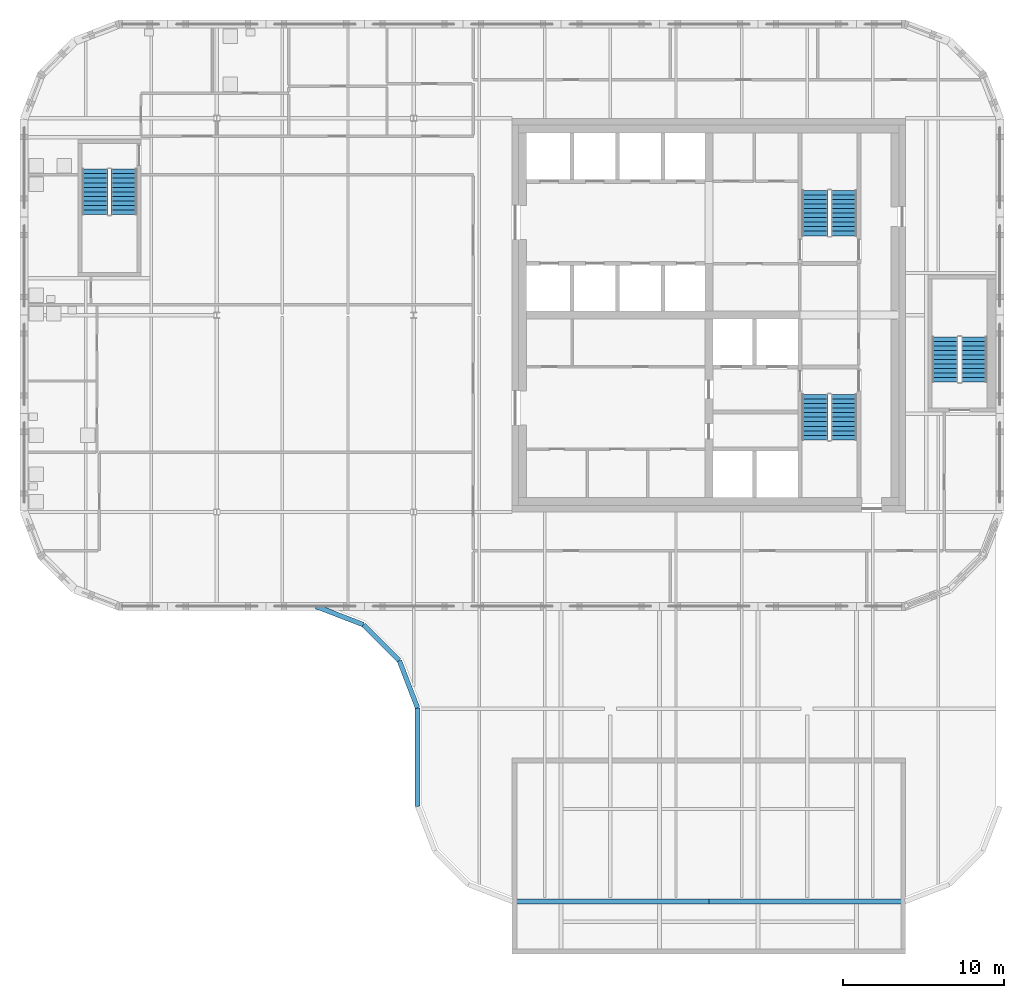
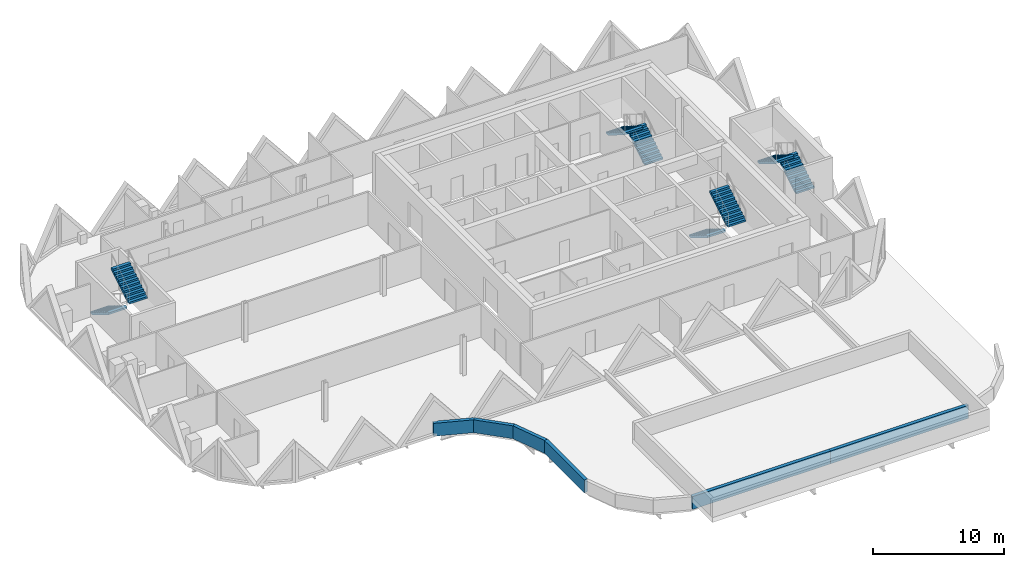
# One storey, part 10 of 12: 8 stair flights, 6 walls, 4 elements without a shape of their own.
"""IFC4 building model written with IfcOpenShell, lengths in metres."""

from ifc_helpers import new_model, si_unit, direction, frame, origin, place, context, subcontext, project, spatial, polyline, outline, extrude, faceted_brep, source, transform, mapped, material, layer, layer_set, type_object, element, aggregate, save


model = new_model("IFC4")

# Units and contexts
model_context = context("Model", 3, precision=1e-05, world=origin(), true_north=direction((0.0, 1.0)))
body_context = subcontext(model_context, "Body", "Model", "MODEL_VIEW")
ifc_project = project(units=[si_unit("LENGTHUNIT", "METRE"), si_unit("AREAUNIT", "SQUARE_METRE"), si_unit("VOLUMEUNIT", "CUBIC_METRE"), si_unit("PLANEANGLEUNIT", "RADIAN"), si_unit("MASSUNIT", "GRAM", prefix="KILO")], contexts=[model_context])

# Site, building, storey
site_placement = place(None, origin())
site = spatial("IfcSite", under=ifc_project, at=site_placement, CompositionType="ELEMENT")
building_placement = place(site_placement, origin())
building = spatial("IfcBuilding", under=site, at=building_placement, Name="Tessera Gate Towers", CompositionType="ELEMENT")
storey_placement = place(building_placement, frame((0.0, 0.0, 236.89990234375)))
storey = spatial("IfcBuildingStorey", under=building, at=storey_placement, Name="L59", CompositionType="ELEMENT", Elevation=236.89990234375)

# Walls
ifc_material_1 = material(Name="Precast concrete C60/75 white", Category="concrete")
ifc_layer = layer(ifc_material_1, 0.300048828125)
ifc_layer_set = layer_set([ifc_layer], Name="PR1 parapet wall")
wall_type = type_object("IfcWallType", Name="PR1 parapet wall", PredefinedType="PARAPET", material=ifc_layer_set)
shared_shape_1 = source(origin(), body_context, "Body", "Brep", [
    faceted_brep([(0.0, -0.14990234375, 0.0), (12.153564453125, -0.14990234375, 0.0), (12.153564453125, -0.14990234375, 1.2001953125), (0.0, -0.14990234375, 1.2001953125), (0.02783203125, 0.14990234375, 1.2001953125), (12.153564453125, 0.14990234375, 1.2001953125), (12.153564453125, 0.14990234375, 0.0), (0.02783203125, 0.14990234375, 0.0), (0.0, 0.0, 0.0), (0.0, 0.0, 1.2001953125)], [[[0, 1, 2, 3]], [[4, 5, 6, 7]], [[7, 6, 1, 0, 8]], [[5, 4, 9, 3, 2]], [[8, 0, 3, 9]], [[7, 8, 9, 4]], [[1, 6, 5, 2]]]),
])
wall_1_placement = place(storey_placement, frame((30.546630859375, 0.25, 0.0), z_axis=(0.0, 0.0, 1.0), x_axis=(1.0, 0.0, 0.0)))
element("IfcWall", 1, at=wall_1_placement, inside=storey, type_object=wall_type, Name="Parapet T1 PR1-0001", PredefinedType="PARAPET", context=body_context, shape_type="MappedRepresentation", body=[
    mapped(shared_shape_1, transform((0.0, 0.0, 0.0), scale=1.0)),
])
shared_shape_2 = source(origin(), body_context, "Body", "Brep", [
    faceted_brep([(0.0, -0.14990234375, 0.0), (12.153564453125, -0.14990234375, 0.0), (12.153564453125, -0.14990234375, 1.2001953125), (0.0, -0.14990234375, 1.2001953125), (0.0, 0.14990234375, 1.2001953125), (12.12548828125, 0.14990234375, 1.2001953125), (12.12548828125, 0.14990234375, 0.0), (0.0, 0.14990234375, 0.0), (12.153564453125, -0.00048828125, 0.0), (12.153564453125, -0.00048828125, 1.2001953125)], [[[0, 1, 2, 3]], [[4, 5, 6, 7]], [[7, 6, 8, 1, 0]], [[9, 2, 1, 8]], [[5, 4, 3, 2, 9]], [[4, 7, 0, 3]], [[8, 6, 5, 9]]]),
])
wall_2_placement = place(storey_placement, frame((42.699951171875, 0.25, 0.0), z_axis=(0.0, 0.0, 1.0), x_axis=(1.0, 0.0, 0.0)))
element("IfcWall", 2, at=wall_2_placement, inside=storey, type_object=wall_type, Name="Parapet T1 PR1-0002", PredefinedType="PARAPET", context=body_context, shape_type="MappedRepresentation", body=[
    mapped(shared_shape_2, transform((0.0, 0.0, 0.0), scale=1.0)),
])
shared_shape_3 = source(origin(), body_context, "Body", "Brep", [
    faceted_brep([(0.02783203125, -0.14990234375, 0.0), (3.11767578125, -0.14990234375, 0.0), (3.11767578125, -0.14990234375, 1.2001953125), (0.02783203125, -0.14990234375, 1.2001953125), (0.0, 0.14990234375, 1.2001953125), (3.1494140625, 0.14990234375, 1.2001953125), (3.1494140625, 0.14990234375, 0.0), (0.0, 0.14990234375, 0.0), (3.1494140625, -0.000244140625, 0.0), (0.0, 0.0, 0.0), (3.1494140625, -0.000244140625, 1.2001953125), (0.0, 0.0, 1.2001953125)], [[[0, 1, 2, 3]], [[4, 5, 6, 7]], [[7, 6, 8, 1, 0, 9]], [[6, 5, 10, 8]], [[5, 4, 11, 3, 2, 10]], [[4, 7, 9, 11]], [[9, 0, 3, 11]], [[1, 8, 10, 2]]]),
])
wall_3_placement = place(storey_placement, frame((18.346435546875, 18.550048828125, 0.0), z_axis=(0.0, 0.0, 1.0), x_axis=(0.932987528699, -0.35990869855, 0.0)))
element("IfcWall", 3, at=wall_3_placement, inside=storey, type_object=wall_type, Name="Parapet T1 PR1-0006", PredefinedType="PARAPET", context=body_context, shape_type="MappedRepresentation", body=[
    mapped(shared_shape_3, transform((0.0, 0.0, 0.0), scale=1.0)),
])
shared_shape_4 = source(origin(), body_context, "Body", "Brep", [
    faceted_brep([(0.03173828125, -0.14990234375, 0.0), (3.1240234375, -0.14990234375, 0.0), (3.1240234375, -0.14990234375, 1.2001953125), (0.03173828125, -0.14990234375, 1.2001953125), (0.0, 0.14990234375, 1.2001953125), (3.15576171875, 0.14990234375, 1.2001953125), (3.15576171875, 0.14990234375, 0.0), (0.0, 0.14990234375, 0.0), (3.15576171875, -0.00048828125, 0.0), (0.0, 0.0, 0.0), (3.15576171875, -0.00048828125, 1.2001953125), (0.0, 0.0, 1.2001953125)], [[[0, 1, 2, 3]], [[4, 5, 6, 7]], [[7, 6, 8, 1, 0, 9]], [[6, 5, 10, 8]], [[5, 4, 11, 3, 2, 10]], [[4, 7, 9, 11]], [[9, 0, 3, 11]], [[1, 8, 10, 2]]]),
])
wall_4_placement = place(storey_placement, frame((21.284912109375, 17.41650390625, 0.0), z_axis=(0.0, 0.0, 1.0), x_axis=(0.707106781187, -0.707106781187, 0.0)))
element("IfcWall", 4, at=wall_4_placement, inside=storey, type_object=wall_type, Name="Parapet T1 PR1-0007", PredefinedType="PARAPET", context=body_context, shape_type="MappedRepresentation", body=[
    mapped(shared_shape_4, transform((0.0, 0.0, 0.0), scale=1.0)),
])
shared_shape_5 = source(origin(), body_context, "Body", "Brep", [
    faceted_brep([(0.03173828125, -0.14990234375, 0.0), (3.12158203125, -0.14990234375, 0.0), (3.12158203125, -0.14990234375, 1.2001953125), (0.03173828125, -0.14990234375, 1.2001953125), (0.0, 0.14990234375, 1.2001953125), (3.1494140625, 0.14990234375, 1.2001953125), (3.1494140625, 0.14990234375, 0.0), (0.0, 0.14990234375, 0.0), (3.1494140625, -0.000244140625, 0.0), (0.0, 0.0, 0.0), (3.1494140625, -0.000244140625, 1.2001953125), (0.0, 0.0, 1.2001953125)], [[[0, 1, 2, 3]], [[4, 5, 6, 7]], [[7, 6, 8, 1, 0, 9]], [[6, 5, 10, 8]], [[5, 4, 11, 3, 2, 10]], [[4, 7, 9, 11]], [[9, 0, 3, 11]], [[1, 8, 10, 2]]]),
])
wall_5_placement = place(storey_placement, frame((23.5166015625, 15.18505859375, 0.0), z_axis=(0.0, 0.0, 1.0), x_axis=(0.359841220347, -0.933013556246, 0.0)))
element("IfcWall", 5, at=wall_5_placement, inside=storey, type_object=wall_type, Name="Parapet T1 PR1-0008", PredefinedType="PARAPET", context=body_context, shape_type="MappedRepresentation", body=[
    mapped(shared_shape_5, transform((0.0, 0.0, 0.0), scale=1.0)),
])
shared_shape_6 = source(origin(), body_context, "Body", "Brep", [
    faceted_brep([(0.02783203125, -0.14990234375, 0.0), (6.10009765625, -0.14990234375, 0.0), (6.10009765625, -0.14990234375, 1.2001953125), (0.02783203125, -0.14990234375, 1.2001953125), (0.0, 0.14990234375, 1.2001953125), (6.072021484375, 0.14990234375, 1.2001953125), (6.072021484375, 0.14990234375, 0.0), (0.0, 0.14990234375, 0.0), (6.10009765625, -0.00048828125, 0.0), (0.0, 0.0, 0.0), (6.10009765625, -0.00048828125, 1.2001953125), (0.0, 0.0, 1.2001953125)], [[[0, 1, 2, 3]], [[4, 5, 6, 7]], [[7, 6, 8, 1, 0, 9]], [[10, 2, 1, 8]], [[5, 4, 11, 3, 2, 10]], [[4, 7, 9, 11]], [[9, 0, 3, 11]], [[8, 6, 5, 10]]]),
])
wall_6_placement = place(storey_placement, frame((24.64990234375, 12.24658203125, 0.0), z_axis=(0.0, 0.0, 1.0), x_axis=(0.0, -1.0, 0.0)))
element("IfcWall", 6, at=wall_6_placement, inside=storey, type_object=wall_type, Name="Parapet T1 PR1-0009", PredefinedType="PARAPET", context=body_context, shape_type="MappedRepresentation", body=[
    mapped(shared_shape_6, transform((0.0, 0.0, 0.0), scale=1.0)),
])

# Stair, stair flights
ifc_material_2 = material(Name="Concrete C40/50", Category="concrete")
stair_type_1 = type_object("IfcStairType", Name="EXIT STAIR ST1 1600", PredefinedType="HALF_TURN_STAIR", material=ifc_material_2)
stair_1_placement = place(storey_placement, origin())
stair_1 = element("IfcStair", 7, at=stair_1_placement, inside=storey, type_object=stair_type_1, Name="L59 Protected Exit Stair ST1", PredefinedType="HALF_TURN_STAIR")
ifc_material_3 = material(Name="Concrete C40/50", Category="concrete")
stair_flight_type_1 = type_object("IfcStairFlightType", Name="EXIT STAIR FLIGHT ST1 1600", PredefinedType="STRAIGHT", material=ifc_material_3)
stair_flight_1_placement = place(storey_placement, frame((49.27490234375, 31.675048828125, 0.0), z_axis=(0.0, 0.0, 1.0), x_axis=(0.0, -1.0, 0.0)))
stair_flight_1 = element("IfcStairFlight", 8, at=stair_flight_1_placement, type_object=stair_flight_type_1, Name="ST1 flight 1", NumberOfRisers=11, NumberOfTreads=10, PredefinedType="STRAIGHT", RiserHeight=0.172727273, TreadLength=0.28, context=body_context, shape_type="SweptSolid", body=[
    extrude(outline(polyline([(0.0, 0.0), (0.0, 0.172607421875), (0.280029296875, 0.172607421875), (0.280029296875, 0.345458984375), (0.56005859375, 0.345458984375), (0.56005859375, 0.51806640625), (0.840087890625, 0.51806640625), (0.840087890625, 0.69091796875), (1.1201171875, 0.69091796875), (1.1201171875, 0.863525390625), (1.39990234375, 0.863525390625), (1.39990234375, 1.036376953125), (1.679931640625, 1.036376953125), (1.679931640625, 1.208984375), (1.9599609375, 1.208984375), (1.9599609375, 1.3818359375), (2.239990234375, 1.3818359375), (2.239990234375, 1.554443359375), (2.52001953125, 1.554443359375), (2.52001953125, 1.727294921875), (2.800048828125, 1.727294921875), (2.800048828125, 1.89990234375), (2.800048828125, 1.551025390625), (0.285400390625, 0.0), (0.0, 0.0)])), frame((0.0, 0.800048828125, 0.0), z_axis=(0.0, -1.0, 0.0), x_axis=(1.0, 0.0, 0.0)), (0.0, 0.0, 1.0), 1.60009765625),
])
stair_flight_2_placement = place(storey_placement, frame((51.074951171875, 28.875, 1.900146484375), z_axis=(0.0, 0.0, 1.0), x_axis=(0.0, 1.0, 0.0)))
stair_flight_2 = element("IfcStairFlight", 9, at=stair_flight_2_placement, type_object=stair_flight_type_1, Name="ST1 flight 2", NumberOfRisers=11, NumberOfTreads=10, PredefinedType="STRAIGHT", RiserHeight=0.172727273, TreadLength=0.28, context=body_context, shape_type="SweptSolid", body=[
    extrude(outline(polyline([(0.0, 0.0), (0.0, 0.172607421875), (0.280029296875, 0.172607421875), (0.280029296875, 0.345458984375), (0.56005859375, 0.345458984375), (0.56005859375, 0.51806640625), (0.840087890625, 0.51806640625), (0.840087890625, 0.69091796875), (1.1201171875, 0.69091796875), (1.1201171875, 0.863525390625), (1.39990234375, 0.863525390625), (1.39990234375, 1.036376953125), (1.679931640625, 1.036376953125), (1.679931640625, 1.208984375), (1.9599609375, 1.208984375), (1.9599609375, 1.3818359375), (2.239990234375, 1.3818359375), (2.239990234375, 1.554443359375), (2.52001953125, 1.554443359375), (2.52001953125, 1.727294921875), (2.800048828125, 1.727294921875), (2.800048828125, 1.89990234375), (2.800048828125, 1.551025390625), (0.285400390625, 0.0), (0.0, 0.0)])), frame((0.0, 0.800048828125, 0.0), z_axis=(0.0, -1.0, 0.0), x_axis=(1.0, 0.0, 0.0)), (0.0, 0.0, 1.0), 1.60009765625),
])
aggregate(stair_1, [stair_flight_1, stair_flight_2])

ifc_material_4 = material(Name="Concrete C40/50", Category="concrete")
stair_type_2 = type_object("IfcStairType", Name="EXIT STAIR ST2 1600", PredefinedType="HALF_TURN_STAIR", material=ifc_material_4)
stair_2_placement = place(storey_placement, origin())
stair_2 = element("IfcStair", 10, at=stair_2_placement, inside=storey, type_object=stair_type_2, Name="L59 Protected Exit Stair ST2", PredefinedType="HALF_TURN_STAIR")
ifc_material_5 = material(Name="Concrete C40/50", Category="concrete")
stair_flight_type_2 = type_object("IfcStairFlightType", Name="EXIT STAIR FLIGHT ST2 1600", PredefinedType="STRAIGHT", material=ifc_material_5)
stair_flight_3_placement = place(storey_placement, frame((51.074951171875, 41.52490234375, 0.0), z_axis=(0.0, 0.0, 1.0), x_axis=(0.0, 1.0, 0.0)))
stair_flight_3 = element("IfcStairFlight", 11, at=stair_flight_3_placement, type_object=stair_flight_type_2, Name="ST2 flight 1", NumberOfRisers=11, NumberOfTreads=10, PredefinedType="STRAIGHT", RiserHeight=0.172727273, TreadLength=0.28, context=body_context, shape_type="SweptSolid", body=[
    extrude(outline(polyline([(0.0, 0.0), (0.0, 0.172607421875), (0.280029296875, 0.172607421875), (0.280029296875, 0.345458984375), (0.56005859375, 0.345458984375), (0.56005859375, 0.51806640625), (0.840087890625, 0.51806640625), (0.840087890625, 0.69091796875), (1.1201171875, 0.69091796875), (1.1201171875, 0.863525390625), (1.39990234375, 0.863525390625), (1.39990234375, 1.036376953125), (1.679931640625, 1.036376953125), (1.679931640625, 1.208984375), (1.9599609375, 1.208984375), (1.9599609375, 1.3818359375), (2.239990234375, 1.3818359375), (2.239990234375, 1.554443359375), (2.52001953125, 1.554443359375), (2.52001953125, 1.727294921875), (2.800048828125, 1.727294921875), (2.800048828125, 1.89990234375), (2.800048828125, 1.551025390625), (0.285400390625, 0.0), (0.0, 0.0)])), frame((0.0, 0.800048828125, 0.0), z_axis=(0.0, -1.0, 0.0), x_axis=(1.0, 0.0, 0.0)), (0.0, 0.0, 1.0), 1.60009765625),
])
stair_flight_4_placement = place(storey_placement, frame((49.27490234375, 44.324951171875, 1.900146484375), z_axis=(0.0, 0.0, 1.0), x_axis=(0.0, -1.0, 0.0)))
stair_flight_4 = element("IfcStairFlight", 12, at=stair_flight_4_placement, type_object=stair_flight_type_2, Name="ST2 flight 2", NumberOfRisers=11, NumberOfTreads=10, PredefinedType="STRAIGHT", RiserHeight=0.172727273, TreadLength=0.28, context=body_context, shape_type="SweptSolid", body=[
    extrude(outline(polyline([(0.0, 0.0), (0.0, 0.172607421875), (0.280029296875, 0.172607421875), (0.280029296875, 0.345458984375), (0.56005859375, 0.345458984375), (0.56005859375, 0.51806640625), (0.840087890625, 0.51806640625), (0.840087890625, 0.69091796875), (1.1201171875, 0.69091796875), (1.1201171875, 0.863525390625), (1.39990234375, 0.863525390625), (1.39990234375, 1.036376953125), (1.679931640625, 1.036376953125), (1.679931640625, 1.208984375), (1.9599609375, 1.208984375), (1.9599609375, 1.3818359375), (2.239990234375, 1.3818359375), (2.239990234375, 1.554443359375), (2.52001953125, 1.554443359375), (2.52001953125, 1.727294921875), (2.800048828125, 1.727294921875), (2.800048828125, 1.89990234375), (2.800048828125, 1.551025390625), (0.285400390625, 0.0), (0.0, 0.0)])), frame((0.0, 0.800048828125, 0.0), z_axis=(0.0, -1.0, 0.0), x_axis=(1.0, 0.0, 0.0)), (0.0, 0.0, 1.0), 1.60009765625),
])
aggregate(stair_2, [stair_flight_3, stair_flight_4])

ifc_material_6 = material(Name="Concrete C40/50", Category="concrete")
stair_type_3 = type_object("IfcStairType", Name="EXIT STAIR ST3 1600", PredefinedType="HALF_TURN_STAIR", material=ifc_material_6)
stair_3_placement = place(storey_placement, origin())
stair_3 = element("IfcStair", 13, at=stair_3_placement, inside=storey, type_object=stair_type_3, Name="L59 West Exit Stair ST3", PredefinedType="HALF_TURN_STAIR")
ifc_material_7 = material(Name="Concrete C40/50", Category="concrete")
stair_flight_type_3 = type_object("IfcStairFlightType", Name="EXIT STAIR FLIGHT ST3 1600", PredefinedType="STRAIGHT", material=ifc_material_7)
stair_flight_5_placement = place(storey_placement, frame((4.64990234375, 45.64990234375, 0.0), z_axis=(0.0, 0.0, 1.0), x_axis=(0.0, -1.0, 0.0)))
stair_flight_5 = element("IfcStairFlight", 14, at=stair_flight_5_placement, type_object=stair_flight_type_3, Name="ST3 flight 1", NumberOfRisers=11, NumberOfTreads=10, PredefinedType="STRAIGHT", RiserHeight=0.172727273, TreadLength=0.28, context=body_context, shape_type="SweptSolid", body=[
    extrude(outline(polyline([(0.0, 0.0), (0.0, 0.172607421875), (0.280029296875, 0.172607421875), (0.280029296875, 0.345458984375), (0.56005859375, 0.345458984375), (0.56005859375, 0.51806640625), (0.840087890625, 0.51806640625), (0.840087890625, 0.69091796875), (1.1201171875, 0.69091796875), (1.1201171875, 0.863525390625), (1.39990234375, 0.863525390625), (1.39990234375, 1.036376953125), (1.679931640625, 1.036376953125), (1.679931640625, 1.208984375), (1.9599609375, 1.208984375), (1.9599609375, 1.3818359375), (2.239990234375, 1.3818359375), (2.239990234375, 1.554443359375), (2.52001953125, 1.554443359375), (2.52001953125, 1.727294921875), (2.800048828125, 1.727294921875), (2.800048828125, 1.89990234375), (2.800048828125, 1.551025390625), (0.285400390625, 0.0), (0.0, 0.0)])), frame((0.0, 0.800048828125, 0.0), z_axis=(0.0, -1.0, 0.0), x_axis=(1.0, 0.0, 0.0)), (0.0, 0.0, 1.0), 1.60009765625),
])
stair_flight_6_placement = place(storey_placement, frame((6.449951171875, 42.85009765625, 1.900146484375), z_axis=(0.0, 0.0, 1.0), x_axis=(0.0, 1.0, 0.0)))
stair_flight_6 = element("IfcStairFlight", 15, at=stair_flight_6_placement, type_object=stair_flight_type_3, Name="ST3 flight 2", NumberOfRisers=11, NumberOfTreads=10, PredefinedType="STRAIGHT", RiserHeight=0.172727273, TreadLength=0.28, context=body_context, shape_type="SweptSolid", body=[
    extrude(outline(polyline([(0.0, 0.0), (0.0, 0.172607421875), (0.280029296875, 0.172607421875), (0.280029296875, 0.345458984375), (0.56005859375, 0.345458984375), (0.56005859375, 0.51806640625), (0.840087890625, 0.51806640625), (0.840087890625, 0.69091796875), (1.1201171875, 0.69091796875), (1.1201171875, 0.863525390625), (1.39990234375, 0.863525390625), (1.39990234375, 1.036376953125), (1.679931640625, 1.036376953125), (1.679931640625, 1.208984375), (1.9599609375, 1.208984375), (1.9599609375, 1.3818359375), (2.239990234375, 1.3818359375), (2.239990234375, 1.554443359375), (2.52001953125, 1.554443359375), (2.52001953125, 1.727294921875), (2.800048828125, 1.727294921875), (2.800048828125, 1.89990234375), (2.800048828125, 1.551025390625), (0.285400390625, 0.0), (0.0, 0.0)])), frame((0.0, 0.800048828125, 0.0), z_axis=(0.0, -1.0, 0.0), x_axis=(1.0, 0.0, 0.0)), (0.0, 0.0, 1.0), 1.60009765625),
])
aggregate(stair_3, [stair_flight_5, stair_flight_6])

ifc_material_8 = material(Name="Concrete C40/50", Category="concrete")
stair_type_4 = type_object("IfcStairType", Name="EXIT STAIR ST5 1600", PredefinedType="HALF_TURN_STAIR", material=ifc_material_8)
stair_4_placement = place(storey_placement, origin())
stair_4 = element("IfcStair", 16, at=stair_4_placement, inside=storey, type_object=stair_type_4, Name="L59 East Exit Stair ST5", PredefinedType="HALF_TURN_STAIR")
ifc_material_9 = material(Name="Concrete C40/50", Category="concrete")
stair_flight_type_4 = type_object("IfcStairFlightType", Name="EXIT STAIR FLIGHT ST5 1600", PredefinedType="STRAIGHT", material=ifc_material_9)
stair_flight_7_placement = place(storey_placement, frame((59.14990234375, 32.449951171875, 0.0), z_axis=(0.0, 0.0, 1.0), x_axis=(0.0, 1.0, 0.0)))
stair_flight_7 = element("IfcStairFlight", 17, at=stair_flight_7_placement, type_object=stair_flight_type_4, Name="ST5 flight 1", NumberOfRisers=11, NumberOfTreads=10, PredefinedType="STRAIGHT", RiserHeight=0.172727273, TreadLength=0.28, context=body_context, shape_type="SweptSolid", body=[
    extrude(outline(polyline([(0.0, 0.0), (0.0, 0.172607421875), (0.280029296875, 0.172607421875), (0.280029296875, 0.345458984375), (0.56005859375, 0.345458984375), (0.56005859375, 0.51806640625), (0.840087890625, 0.51806640625), (0.840087890625, 0.69091796875), (1.1201171875, 0.69091796875), (1.1201171875, 0.863525390625), (1.39990234375, 0.863525390625), (1.39990234375, 1.036376953125), (1.679931640625, 1.036376953125), (1.679931640625, 1.208984375), (1.9599609375, 1.208984375), (1.9599609375, 1.3818359375), (2.239990234375, 1.3818359375), (2.239990234375, 1.554443359375), (2.52001953125, 1.554443359375), (2.52001953125, 1.727294921875), (2.800048828125, 1.727294921875), (2.800048828125, 1.89990234375), (2.800048828125, 1.551025390625), (0.285400390625, 0.0), (0.0, 0.0)])), frame((0.0, 0.800048828125, 0.0), z_axis=(0.0, -1.0, 0.0), x_axis=(1.0, 0.0, 0.0)), (0.0, 0.0, 1.0), 1.60009765625),
])
stair_flight_8_placement = place(storey_placement, frame((57.35009765625, 35.25, 1.900146484375), z_axis=(0.0, 0.0, 1.0), x_axis=(0.0, -1.0, 0.0)))
stair_flight_8 = element("IfcStairFlight", 18, at=stair_flight_8_placement, type_object=stair_flight_type_4, Name="ST5 flight 2", NumberOfRisers=11, NumberOfTreads=10, PredefinedType="STRAIGHT", RiserHeight=0.172727273, TreadLength=0.28, context=body_context, shape_type="SweptSolid", body=[
    extrude(outline(polyline([(0.0, 0.0), (0.0, 0.172607421875), (0.280029296875, 0.172607421875), (0.280029296875, 0.345458984375), (0.56005859375, 0.345458984375), (0.56005859375, 0.51806640625), (0.840087890625, 0.51806640625), (0.840087890625, 0.69091796875), (1.1201171875, 0.69091796875), (1.1201171875, 0.863525390625), (1.39990234375, 0.863525390625), (1.39990234375, 1.036376953125), (1.679931640625, 1.036376953125), (1.679931640625, 1.208984375), (1.9599609375, 1.208984375), (1.9599609375, 1.3818359375), (2.239990234375, 1.3818359375), (2.239990234375, 1.554443359375), (2.52001953125, 1.554443359375), (2.52001953125, 1.727294921875), (2.800048828125, 1.727294921875), (2.800048828125, 1.89990234375), (2.800048828125, 1.551025390625), (0.285400390625, 0.0), (0.0, 0.0)])), frame((0.0, 0.800048828125, 0.0), z_axis=(0.0, -1.0, 0.0), x_axis=(1.0, 0.0, 0.0)), (0.0, 0.0, 1.0), 1.60009765625),
])
aggregate(stair_4, [stair_flight_7, stair_flight_8])

save(model, "model.ifc")
